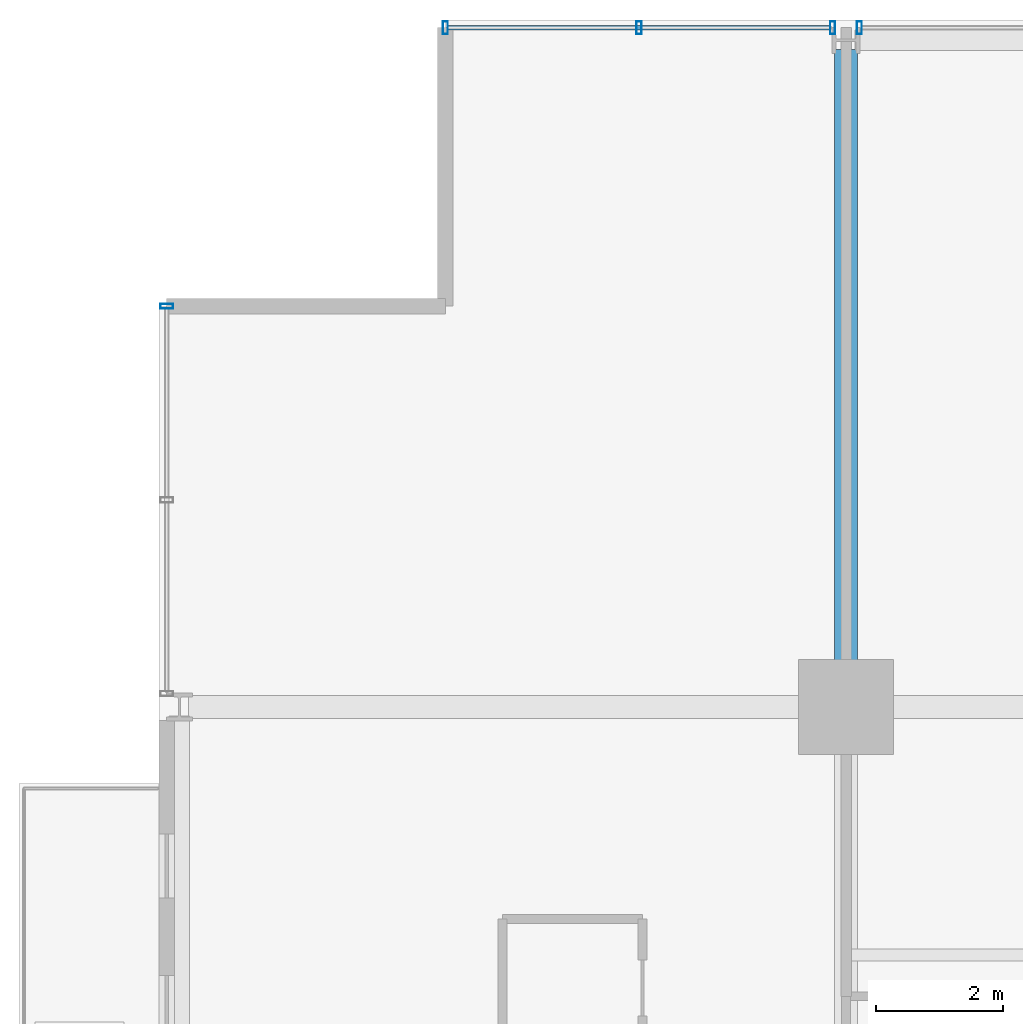
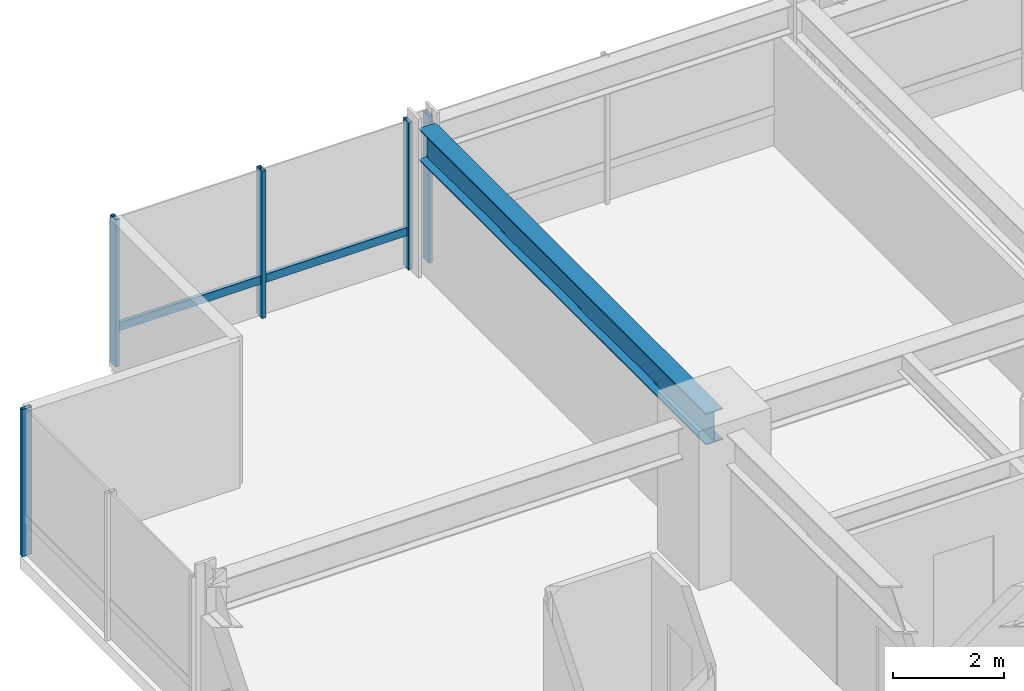
# One storey, part 20 of 34: 6 members, 1 beam, 3 elements without a shape of their own.
"""IFC4 building model written with IfcOpenShell, lengths in metres."""

from ifc_helpers import new_model, si_unit, direction, frame, origin, origin_2d, place, context, subcontext, project, spatial, hollow_rectangle, i_section, extrude, material, layer, layer_set, material_profile, profile_set, type_object, element, aggregate, save


model = new_model("IFC4")

# Units and contexts
model_context = context("Model", 3, precision=1e-05, world=origin(), true_north=direction((0.0, 1.0)))
body_context = subcontext(model_context, "Body", "Model", "MODEL_VIEW")
ifc_project = project(units=[si_unit("LENGTHUNIT", "METRE"), si_unit("AREAUNIT", "SQUARE_METRE"), si_unit("VOLUMEUNIT", "CUBIC_METRE"), si_unit("PLANEANGLEUNIT", "RADIAN"), si_unit("MASSUNIT", "GRAM", prefix="KILO")], contexts=[model_context])

# Site, building, storey
site_placement = place(None, origin())
site = spatial("IfcSite", under=ifc_project, at=site_placement, CompositionType="ELEMENT")
building_placement = place(site_placement, origin())
building = spatial("IfcBuilding", under=site, at=building_placement, Name="Drelvath Grand Hotel", CompositionType="ELEMENT")
storey_placement = place(building_placement, frame((0.0, 0.0, 126.800048828125)))
storey = spatial("IfcBuildingStorey", under=building, at=storey_placement, Name="L32", CompositionType="ELEMENT", Elevation=126.800048828125)

# Curtain wall, member
ifc_material_1 = material(Name="Champagne Bronze Anodised Aluminium Frame", Category="aluminium")
ifc_layer = layer(ifc_material_1, 0.199951171875)
ifc_layer_set = layer_set([ifc_layer], Name="Champagne Bronze Anodised Aluminium Frame")
curtain_wall_type = type_object("IfcCurtainWallType", Name="Stick Curtain Wall CW-03 Champagne Bronze Mid-Rise", PredefinedType="NOTDEFINED", material=ifc_layer_set)
curtain_wall_1_placement = place(storey_placement, origin())
curtain_wall_1 = element("IfcCurtainWall", 1, at=curtain_wall_1_placement, inside=storey, type_object=curtain_wall_type, Name="L32 CW-03 Curtain Wall CW03-L32-NW1", PredefinedType="NOTDEFINED")
ifc_material_profile_1 = material_profile(ifc_material_1, hollow_rectangle(XDim=0.074951171875, YDim=0.179931640625, WallThickness=0.0048828125, at=origin_2d()), Name="HSS180X75X5")
ifc_profile_set_1 = profile_set([ifc_material_profile_1], Name="Champagne Bronze Anodised Aluminium Frame")
member_type_1 = type_object("IfcMemberType", Name="Curtain Wall Horizontal Transom CW-03 HSS180X75X5", PredefinedType="USERDEFINED", material=ifc_profile_set_1)
member_1_placement = place(storey_placement, frame((-22.4599609375, 53.8798828125, 0.81005859375), z_axis=(1.0, 0.0, 0.0), x_axis=(0.0, 1.0, 0.0)))
member_1 = element("IfcMember", 2, at=member_1_placement, type_object=member_type_1, Name="CW03-L32-NW1 Sill Transom", ObjectType="TRANSOM", PredefinedType="USERDEFINED", context=body_context, shape_type="SweptSolid", body=[
    extrude(hollow_rectangle(XDim=0.074951171875, YDim=0.179931640625, WallThickness=0.0048828125, at=origin_2d()), origin(), (0.0, 0.0, 1.0), 6.010498046875),
])

curtain_wall_2_placement = place(storey_placement, origin())
curtain_wall_2 = element("IfcCurtainWall", 3, at=curtain_wall_2_placement, inside=storey, type_object=curtain_wall_type, Name="L32 CW-03 Curtain Wall CW03-L32-WN3", PredefinedType="NOTDEFINED")
ifc_material_profile_2 = material_profile(ifc_material_1, hollow_rectangle(XDim=0.080078125, YDim=0.199951171875, WallThickness=0.0048828125, at=origin_2d()), Name="HSS200X80X5")
ifc_profile_set_2 = profile_set([ifc_material_profile_2], Name="Champagne Bronze Anodised Aluminium Frame")
member_type_2 = type_object("IfcMemberType", Name="Curtain Wall Vertical Mullion CW-03 HSS200X80X5", PredefinedType="MULLION", material=ifc_profile_set_2)
member_2_placement = place(storey_placement, frame((-26.8798828125, 49.5, 0.0), z_axis=(0.0, 0.0, 1.0), x_axis=(0.0, 1.0, 0.0)))
member_2 = element("IfcMember", 4, at=member_2_placement, type_object=member_type_2, Name="CW03-L32-WN3 Mullion 3", PredefinedType="MULLION", context=body_context, shape_type="SweptSolid", body=[
    extrude(hollow_rectangle(XDim=0.080078125, YDim=0.199951171875, WallThickness=0.0048828125, at=origin_2d()), origin(), (0.0, 0.0, 1.0), 3.239990234375),
])
aggregate(curtain_wall_2, [member_2])

# Member
member_3_placement = place(storey_placement, frame((-22.5, 53.8798828125, 0.0), z_axis=(0.0, 0.0, 1.0), x_axis=(1.0, 0.0, 0.0)))
member_3 = element("IfcMember", 5, at=member_3_placement, type_object=member_type_2, Name="CW03-L32-NW1 Mullion 1", PredefinedType="MULLION", context=body_context, shape_type="SweptSolid", body=[
    extrude(hollow_rectangle(XDim=0.080078125, YDim=0.199951171875, WallThickness=0.0048828125, at=origin_2d()), origin(), (0.0, 0.0, 1.0), 3.239990234375),
])

member_4_placement = place(storey_placement, frame((-19.45458984375, 53.8798828125, 0.0), z_axis=(0.0, 0.0, 1.0), x_axis=(1.0, 0.0, 0.0)))
member_4 = element("IfcMember", 6, at=member_4_placement, type_object=member_type_2, Name="CW03-L32-NW1 Mullion 2", PredefinedType="MULLION", context=body_context, shape_type="SweptSolid", body=[
    extrude(hollow_rectangle(XDim=0.080078125, YDim=0.199951171875, WallThickness=0.0048828125, at=origin_2d()), origin(), (0.0, 0.0, 1.0), 3.239990234375),
])

member_5_placement = place(storey_placement, frame((-16.409423828125, 53.8798828125, 0.0), z_axis=(0.0, 0.0, 1.0), x_axis=(1.0, 0.0, 0.0)))
member_5 = element("IfcMember", 7, at=member_5_placement, type_object=member_type_2, Name="CW03-L32-NW1 Mullion 3", PredefinedType="MULLION", context=body_context, shape_type="SweptSolid", body=[
    extrude(hollow_rectangle(XDim=0.080078125, YDim=0.199951171875, WallThickness=0.0048828125, at=origin_2d()), origin(), (0.0, 0.0, 1.0), 3.239990234375),
])

aggregate(curtain_wall_1, [member_3, member_4, member_5, member_1])

# Curtain wall, member
curtain_wall_3_placement = place(storey_placement, origin())
curtain_wall_3 = element("IfcCurtainWall", 8, at=curtain_wall_3_placement, inside=storey, type_object=curtain_wall_type, Name="L32 CW-03 Curtain Wall CW03-L32-NW2", PredefinedType="NOTDEFINED")
member_6_placement = place(storey_placement, frame((-15.990478515625, 53.8798828125, 0.0), z_axis=(0.0, 0.0, 1.0), x_axis=(1.0, 0.0, 0.0)))
member_6 = element("IfcMember", 9, at=member_6_placement, type_object=member_type_2, Name="CW03-L32-NW2 Mullion 1", PredefinedType="MULLION", context=body_context, shape_type="SweptSolid", body=[
    extrude(hollow_rectangle(XDim=0.080078125, YDim=0.199951171875, WallThickness=0.0048828125, at=origin_2d()), origin(), (0.0, 0.0, 1.0), 3.239990234375),
])
aggregate(curtain_wall_3, [member_6])

# Beam
ifc_material_2 = material(Name="Steel ASTM A992 Gr 50", Category="steel")
ifc_material_profile_3 = material_profile(ifc_material_2, i_section(OverallWidth=0.354736328125, OverallDepth=0.695556640625, WebThickness=0.015380859375, FlangeThickness=0.025146484375, FilletRadius=0.02392578125, at=origin_2d()), Name="W27X146")
ifc_profile_set_3 = profile_set([ifc_material_profile_3], Name="Steel ASTM A992 Gr 50")
beam_type = type_object("IfcBeamType", Name="Primary Floor Girder W27X146", PredefinedType="BEAM", material=ifc_profile_set_3)
beam_placement = place(storey_placement, frame((-16.199951171875, 43.199951171875, 2.892333984375), z_axis=(0.0, 1.0, 0.0), x_axis=(-1.0, 0.0, 0.0)))
element("IfcBeam", 10, at=beam_placement, inside=storey, type_object=beam_type, Name="L32 North Grid Girder 3", PredefinedType="BEAM", context=body_context, shape_type="SweptSolid", body=[
    extrude(i_section(OverallWidth=0.354736328125, OverallDepth=0.695556640625, WebThickness=0.015380859375, FlangeThickness=0.025146484375, FilletRadius=0.02392578125, at=origin_2d()), origin(), (0.0, 0.0, 1.0), 10.340087890625),
])

save(model, "model.ifc")
